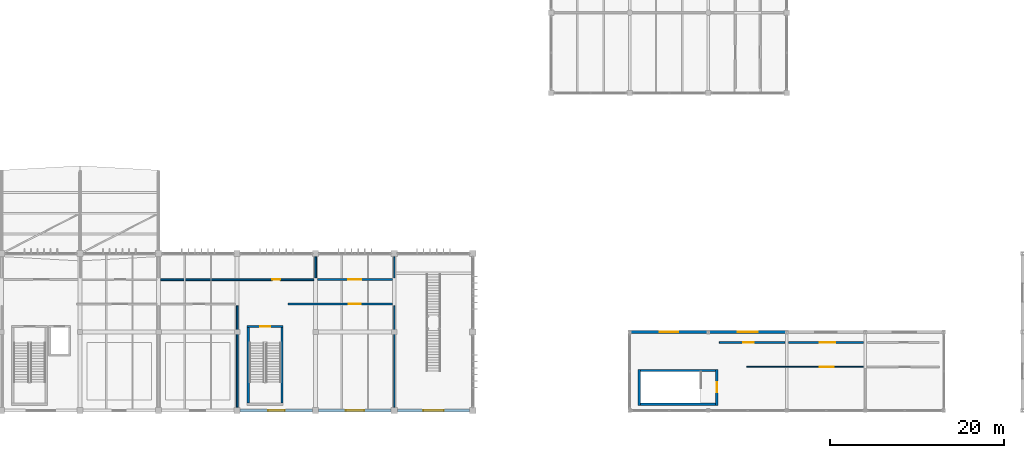
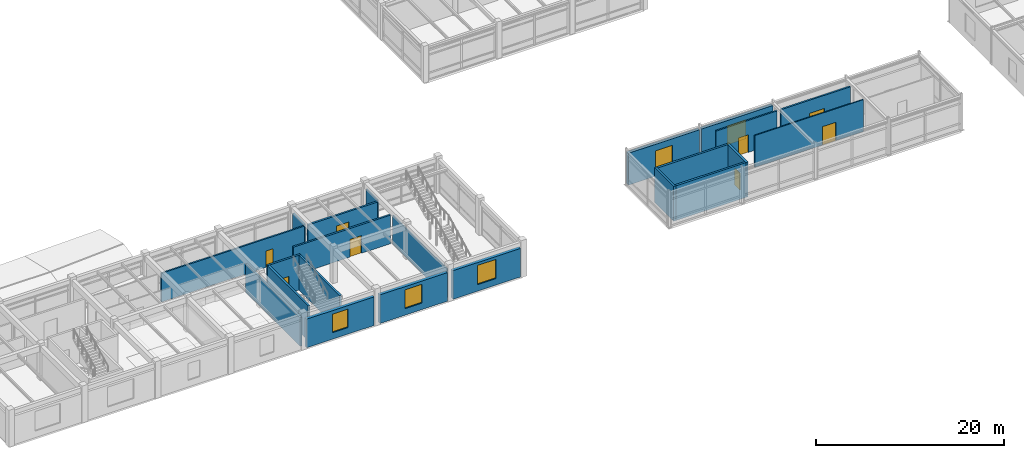
# One storey, part 46 of 61: 22 walls, 8 doors, 5 windows, 13 openings.
"""IFC4 building model written with IfcOpenShell, lengths in metres."""

from ifc_helpers import new_model, si_unit, direction, frame, frame_2d, origin, place, context, subcontext, project, spatial, rectangle, extrude, material, layer, layer_set, type_object, element, fill, save


model = new_model("IFC4")

# Units and contexts
model_context = context("Model", 3, precision=1e-05, world=origin(), true_north=direction((0.0, 1.0)))
body_context = subcontext(model_context, "Body", "Model", "MODEL_VIEW")
ifc_project = project(units=[si_unit("LENGTHUNIT", "METRE"), si_unit("AREAUNIT", "SQUARE_METRE"), si_unit("VOLUMEUNIT", "CUBIC_METRE"), si_unit("PLANEANGLEUNIT", "RADIAN"), si_unit("MASSUNIT", "GRAM", prefix="KILO")], contexts=[model_context])

# Site, building, storey
site_placement = place(None, origin())
site = spatial("IfcSite", under=ifc_project, at=site_placement, CompositionType="ELEMENT")
building_placement = place(site_placement, origin())
building = spatial("IfcBuilding", under=site, at=building_placement, Name="Bozkorgan Art Gallery", CompositionType="ELEMENT")
storey_placement = place(building_placement, frame((0.0, 0.0, 10.199951171875)))
storey = spatial("IfcBuildingStorey", under=building, at=storey_placement, Name="L02", CompositionType="ELEMENT", Elevation=10.199951171875)

# Wall, opening, door
ifc_material_1 = material(Name="Concrete C40/50", Category="concrete")
ifc_layer_1 = layer(ifc_material_1, 0.25, Name="Concrete C40/50")
ifc_layer_set_1 = layer_set([ifc_layer_1], Name="Concrete C40/50")
wall_type_1 = type_object("IfcWallType", Name="IWALL-CW-51", PredefinedType="SHEAR", material=ifc_layer_set_1)
wall_1_placement = place(storey_placement, frame((92.97509765625, 2.60009765625, 0.0), z_axis=(0.0, 0.0, 1.0), x_axis=(0.0, 1.0, 0.0)))
wall_1 = element("IfcWall", 1, at=wall_1_placement, inside=storey, type_object=wall_type_1, Name="CORE6 L02 stair core east shear wall", PredefinedType="SHEAR", context=body_context, shape_type="SweptSolid", body=[
    extrude(rectangle(XDim=4.099853515625, YDim=0.25, at=frame_2d((2.0498046875, 0.0))), origin(), (0.0, 0.0, 1.0), 4.52001953125),
])
opening_1_placement = place(wall_1_placement, frame((1.47509765625, 0.0, 0.0)))
opening_1 = element("IfcOpeningElement", 2, at=opening_1_placement, cuts=wall_1, Name="Opening SD-41", PredefinedType="OPENING", context=body_context, shape_type="SweptSolid", body=[
    extrude(rectangle(XDim=1.14990234375, YDim=2.199951171875, at=frame_2d((0.574951171875, 1.10009765625))), frame((0.0, 0.135009765625, 0.0), z_axis=(0.0, -1.0, 0.0), x_axis=(1.0, 0.0, 0.0)), (0.0, 0.0, 1.0), 0.27001953125),
])
ifc_material_2 = material(Name="Steel S355J2", Category="steel")
door_type_1 = type_object("IfcDoorType", Name="IDOOR-SD-41", OperationType="NOTDEFINED", PredefinedType="DOOR", material=ifc_material_2)
door_1_placement = place(opening_1_placement, origin())
door_1 = element("IfcDoor", 3, at=door_1_placement, inside=storey, type_object=door_type_1, Name="ST6 L02 Fire Stair Door", OperationType="SINGLE_SWING_LEFT", OverallHeight=2.199951171875, OverallWidth=1.14990234375, PredefinedType="DOOR", context=body_context, shape_type="SweptSolid", body=[
    extrude(rectangle(XDim=1.14990234375, YDim=2.199951171875, at=frame_2d((0.574951171875, 1.10009765625))), frame((0.0, 0.02490234375, 0.0), z_axis=(0.0, -1.0, 0.0), x_axis=(1.0, 0.0, 0.0)), (0.0, 0.0, 1.0), 0.050048828125),
])
fill(opening_1, door_1)

# Walls
wall_2_placement = place(storey_placement, frame((84.074951171875, 2.60009765625, 0.0), z_axis=(0.0, 0.0, 1.0), x_axis=(0.0, 1.0, 0.0)))
element("IfcWall", 4, at=wall_2_placement, inside=storey, type_object=wall_type_1, Name="CORE6 L02 stair core W shear wall", PredefinedType="SHEAR", context=body_context, shape_type="SweptSolid", body=[
    extrude(rectangle(XDim=4.099853515625, YDim=0.25, at=frame_2d((2.0498046875, 0.0))), origin(), (0.0, 0.0, 1.0), 4.52001953125),
])
for number, where, z_axis, x_axis, name in (
    (5, (84.199951171875, 2.72509765625, 0.0), (0.0, 0.0, 1.0), (1.0, 0.0, 0.0), "CORE6 L02 stair core S shear wall"),
    (6, (84.199951171875, 6.574951171875, 0.0), (0.0, 0.0, 1.0), (1.0, 0.0, 0.0), "CORE6 L02 stair core N shear wall"),
):
    element("IfcWall", number, at=place(storey_placement, frame(where, z_axis=z_axis, x_axis=x_axis)), inside=storey, type_object=wall_type_1, Name=name, PredefinedType="SHEAR", context=body_context, shape_type="SweptSolid", body=[
        extrude(rectangle(XDim=8.650146484375, YDim=0.25, at=frame_2d((4.3251953125, 0.0))), origin(), (0.0, 0.0, 1.0), 4.52001953125),
    ])

# Wall, opening, door
wall_3_placement = place(storey_placement, frame((39.14990234375, 11.625, 0.0), z_axis=(0.0, 0.0, 1.0), x_axis=(1.0, 0.0, 0.0)))
wall_3 = element("IfcWall", 7, at=wall_3_placement, inside=storey, type_object=wall_type_1, Name="CORE7 L02 stair core north shear wall", PredefinedType="SHEAR", context=body_context, shape_type="SweptSolid", body=[
    extrude(rectangle(XDim=4.10009765625, YDim=0.25, at=frame_2d((2.050048828125, 0.0))), origin(), (0.0, 0.0, 1.0), 4.52001953125),
])
opening_2_placement = place(wall_3_placement, frame((2.625, 0.0, 0.0), z_axis=(0.0, 0.0, 1.0), x_axis=(-1.0, 0.0, 0.0)))
opening_2 = element("IfcOpeningElement", 8, at=opening_2_placement, cuts=wall_3, Name="Opening SD-41", PredefinedType="OPENING", context=body_context, shape_type="SweptSolid", body=[
    extrude(rectangle(XDim=1.14990234375, YDim=2.199951171875, at=frame_2d((0.574951171875, 1.10009765625))), frame((0.0, 0.135009765625, 0.0), z_axis=(0.0, -1.0, 0.0), x_axis=(1.0, 0.0, 0.0)), (0.0, 0.0, 1.0), 0.27001953125),
])
door_2_placement = place(opening_2_placement, origin())
door_2 = element("IfcDoor", 9, at=door_2_placement, inside=storey, type_object=door_type_1, Name="ST12 L02 Fire Stair Door", OperationType="SINGLE_SWING_LEFT", OverallHeight=2.199951171875, OverallWidth=1.14990234375, PredefinedType="DOOR", context=body_context, shape_type="SweptSolid", body=[
    extrude(rectangle(XDim=1.14990234375, YDim=2.199951171875, at=frame_2d((0.574951171875, 1.10009765625))), frame((0.0, 0.02490234375, 0.0), z_axis=(0.0, -1.0, 0.0), x_axis=(1.0, 0.0, 0.0)), (0.0, 0.0, 1.0), 0.050048828125),
])
fill(opening_2, door_2)

# Walls
for number, where, z_axis, x_axis, name in (
    (10, (39.27490234375, 2.85009765625, 0.0), (0.0, 0.0, 1.0), (0.0, 1.0, 0.0), "CORE7 L02 stair core W shear wall"),
    (11, (43.125, 2.85009765625, 0.0), (0.0, 0.0, 1.0), (0.0, 1.0, 0.0), "CORE7 L02 stair core E shear wall"),
):
    element("IfcWall", number, at=place(storey_placement, frame(where, z_axis=z_axis, x_axis=x_axis)), inside=storey, type_object=wall_type_1, Name=name, PredefinedType="SHEAR", context=body_context, shape_type="SweptSolid", body=[
        extrude(rectangle(XDim=8.64990234375, YDim=0.25, at=frame_2d((4.324951171875, 0.0))), origin(), (0.0, 0.0, 1.0), 4.52001953125),
    ])

# Wall, opening, door
ifc_material_3 = material(Name="Acoustic Gypsum & Mineral Wool Partition")
ifc_layer_2 = layer(ifc_material_3, 0.22998046875, Name="Acoustic Gypsum & Mineral Wool Partition")
ifc_layer_set_2 = layer_set([ifc_layer_2], Name="Acoustic Gypsum & Mineral Wool Partition")
wall_type_2 = type_object("IfcWallType", Name="IWALL-PR-08", PredefinedType="PARTITIONING", material=ifc_layer_set_2)
wall_4_placement = place(storey_placement, frame((43.820068359375, 14.199951171875, 0.0), z_axis=(0.0, 0.0, 1.0), x_axis=(1.0, 0.0, 0.0)))
wall_4 = element("IfcWall", 12, at=wall_4_placement, inside=storey, type_object=wall_type_2, Name="V1 L02 acoustic partition wall 59", PredefinedType="PARTITIONING", context=body_context, shape_type="SweptSolid", body=[
    extrude(rectangle(XDim=11.9599609375, YDim=0.22998046875, at=frame_2d((5.97998046875, 0.0))), origin(), (0.0, 0.0, 1.0), 3.715087890625),
])
opening_3_placement = place(wall_4_placement, frame((6.9404296875, 0.0, 0.0)))
opening_3 = element("IfcOpeningElement", 13, at=opening_3_placement, cuts=wall_4, Name="Opening GD-50", PredefinedType="OPENING", context=body_context, shape_type="SweptSolid", body=[
    extrude(rectangle(XDim=1.419921875, YDim=2.300048828125, at=frame_2d((0.7099609375, 1.14990234375))), frame((0.0, 0.125, 0.0), z_axis=(0.0, -1.0, 0.0), x_axis=(1.0, 0.0, 0.0)), (0.0, 0.0, 1.0), 0.25),
])
ifc_material_4 = material(Name="Oiled European Oak Joinery")
door_type_2 = type_object("IfcDoorType", Name="IDOOR-GD-50", OperationType="NOTDEFINED", PredefinedType="DOOR", material=ifc_material_4)
door_3_placement = place(opening_3_placement, origin())
door_3 = element("IfcDoor", 14, at=door_3_placement, inside=storey, type_object=door_type_2, Name="Architectural Drawings Gallery Door", OperationType="DOUBLE_DOOR_SINGLE_SWING", OverallHeight=2.300048828125, OverallWidth=1.419921875, PredefinedType="DOOR", context=body_context, shape_type="SweptSolid", body=[
    extrude(rectangle(XDim=1.419921875, YDim=2.300048828125, at=frame_2d((0.7099609375, 1.14990234375))), frame((0.0, 0.02490234375, 0.0), z_axis=(0.0, -1.0, 0.0), x_axis=(1.0, 0.0, 0.0)), (0.0, 0.0, 1.0), 0.050048828125),
])
fill(opening_3, door_3)

wall_5_placement = place(storey_placement, frame((47.219970703125, 17.0, 0.0), z_axis=(0.0, 0.0, 1.0), x_axis=(1.0, 0.0, 0.0)))
wall_5 = element("IfcWall", 15, at=wall_5_placement, inside=storey, type_object=wall_type_2, Name="V1 L02 acoustic partition wall 71", PredefinedType="PARTITIONING", context=body_context, shape_type="SweptSolid", body=[
    extrude(rectangle(XDim=8.56005859375, YDim=0.22998046875, at=frame_2d((4.280029296875, 0.0))), origin(), (0.0, 0.0, 1.0), 3.715087890625),
])
opening_4_placement = place(wall_5_placement, frame((5.030029296875, 0.0, 0.0), z_axis=(0.0, 0.0, 1.0), x_axis=(-1.0, 0.0, 0.0)))
opening_4 = element("IfcOpeningElement", 16, at=opening_4_placement, cuts=wall_5, Name="Opening GD-06", PredefinedType="OPENING", context=body_context, shape_type="SweptSolid", body=[
    extrude(rectangle(XDim=1.5, YDim=2.35009765625, at=frame_2d((0.75, 1.175048828125))), frame((0.0, 0.125, 0.0), z_axis=(0.0, -1.0, 0.0), x_axis=(1.0, 0.0, 0.0)), (0.0, 0.0, 1.0), 0.25),
])
door_type_3 = type_object("IfcDoorType", Name="IDOOR-GD-06", OperationType="NOTDEFINED", PredefinedType="DOOR", material=ifc_material_4)
door_4_placement = place(opening_4_placement, origin())
door_4 = element("IfcDoor", 17, at=door_4_placement, inside=storey, type_object=door_type_3, Name="Temporary Exhibition Hall Door", OperationType="DOUBLE_DOOR_SINGLE_SWING", OverallHeight=2.35009765625, OverallWidth=1.5, PredefinedType="DOOR", context=body_context, shape_type="SweptSolid", body=[
    extrude(rectangle(XDim=1.5, YDim=2.35009765625, at=frame_2d((0.75, 1.175048828125))), frame((0.0, 0.02490234375, 0.0), z_axis=(0.0, -1.0, 0.0), x_axis=(1.0, 0.0, 0.0)), (0.0, 0.0, 1.0), 0.050048828125),
])
fill(opening_4, door_4)

ifc_layer_3 = layer(ifc_material_3, 0.2099609375, Name="Acoustic Gypsum & Mineral Wool Partition")
ifc_layer_set_3 = layer_set([ifc_layer_3], Name="Acoustic Gypsum & Mineral Wool Partition")
wall_type_3 = type_object("IfcWallType", Name="IWALL-PR-38", PredefinedType="PARTITIONING", material=ifc_layer_set_3)
wall_6_placement = place(storey_placement, frame((101.219970703125, 9.800048828125, 0.0), z_axis=(0.0, 0.0, 1.0), x_axis=(1.0, 0.0, 0.0)))
wall_6 = element("IfcWall", 18, at=wall_6_placement, inside=storey, type_object=wall_type_3, Name="V3 L02 acoustic partition wall 178", PredefinedType="PARTITIONING", context=body_context, shape_type="SweptSolid", body=[
    extrude(rectangle(XDim=8.56005859375, YDim=0.2099609375, at=frame_2d((4.280029296875, 0.0))), origin(), (0.0, 0.0, 1.0), 4.155029296875),
])
opening_5_placement = place(wall_6_placement, frame((5.35009765625, 0.0, 0.0), z_axis=(0.0, 0.0, 1.0), x_axis=(-1.0, 0.0, 0.0)))
opening_5 = element("IfcOpeningElement", 19, at=opening_5_placement, cuts=wall_6, Name="Opening GD-31", PredefinedType="OPENING", context=body_context, shape_type="SweptSolid", body=[
    extrude(rectangle(XDim=1.820068359375, YDim=2.4599609375, at=frame_2d((0.91015625, 1.22998046875))), frame((0.0, 0.114990234375, 0.0), z_axis=(0.0, -1.0, 0.0), x_axis=(1.0, 0.0, 0.0)), (0.0, 0.0, 1.0), 0.22998046875),
])
door_type_4 = type_object("IfcDoorType", Name="IDOOR-GD-31", OperationType="NOTDEFINED", PredefinedType="DOOR", material=ifc_material_4)
door_5_placement = place(opening_5_placement, origin())
door_5 = element("IfcDoor", 20, at=door_5_placement, inside=storey, type_object=door_type_4, Name="Sound Installation Gallery Door", OperationType="DOUBLE_DOOR_SINGLE_SWING", OverallHeight=2.4599609375, OverallWidth=1.820068359375, PredefinedType="DOOR", context=body_context, shape_type="SweptSolid", body=[
    extrude(rectangle(XDim=1.820068359375, YDim=2.4599609375, at=frame_2d((0.91015625, 1.22998046875))), frame((0.0, 0.02490234375, 0.0), z_axis=(0.0, -1.0, 0.0), x_axis=(1.0, 0.0, 0.0)), (0.0, 0.0, 1.0), 0.050048828125),
])
fill(opening_5, door_5)

ifc_layer_4 = layer(ifc_material_3, 0.18994140625, Name="Acoustic Gypsum & Mineral Wool Partition")
ifc_layer_set_4 = layer_set([ifc_layer_4], Name="Acoustic Gypsum & Mineral Wool Partition")
wall_type_4 = type_object("IfcWallType", Name="IWALL-PR-66", PredefinedType="PARTITIONING", material=ifc_layer_set_4)
wall_7_placement = place(storey_placement, frame((29.219970703125, 17.0, 0.0), z_axis=(0.0, 0.0, 1.0), x_axis=(1.0, 0.0, 0.0)))
wall_7 = element("IfcWall", 21, at=wall_7_placement, inside=storey, type_object=wall_type_4, Name="V1 L02 acoustic partition wall 69", PredefinedType="PARTITIONING", context=body_context, shape_type="SweptSolid", body=[
    extrude(rectangle(XDim=17.56005859375, YDim=0.18994140625, at=frame_2d((8.780029296875, 0.0))), origin(), (0.0, 0.0, 1.0), 3.715087890625),
])
opening_6_placement = place(wall_7_placement, frame((13.74560546875, 0.0, 0.0), z_axis=(0.0, 0.0, 1.0), x_axis=(-1.0, 0.0, 0.0)))
opening_6 = element("IfcOpeningElement", 22, at=opening_6_placement, cuts=wall_7, Name="Opening FD-12", PredefinedType="OPENING", context=body_context, shape_type="SweptSolid", body=[
    extrude(rectangle(XDim=0.919921875, YDim=2.1201171875, at=frame_2d((0.4599609375, 1.06005859375))), frame((0.0, 0.10498046875, 0.0), z_axis=(0.0, -1.0, 0.0), x_axis=(1.0, 0.0, 0.0)), (0.0, 0.0, 1.0), 0.2099609375),
])
door_type_5 = type_object("IfcDoorType", Name="IDOOR-FD-12", OperationType="NOTDEFINED", PredefinedType="DOOR", material=ifc_material_4)
door_6_placement = place(opening_6_placement, origin())
door_6 = element("IfcDoor", 23, at=door_6_placement, inside=storey, type_object=door_type_5, Name="Visitor Cloakroom Door", OperationType="SINGLE_SWING_LEFT", OverallHeight=2.1201171875, OverallWidth=0.919921875, PredefinedType="DOOR", context=body_context, shape_type="SweptSolid", body=[
    extrude(rectangle(XDim=0.919921875, YDim=2.1201171875, at=frame_2d((0.4599609375, 1.06005859375))), frame((0.0, 0.02490234375, 0.0), z_axis=(0.0, -1.0, 0.0), x_axis=(1.0, 0.0, 0.0)), (0.0, 0.0, 1.0), 0.050048828125),
])
fill(opening_6, door_6)

wall_8_placement = place(storey_placement, frame((93.280029296875, 9.800048828125, 0.0), z_axis=(0.0, 0.0, 1.0), x_axis=(1.0, 0.0, 0.0)))
wall_8 = element("IfcWall", 24, at=wall_8_placement, inside=storey, type_object=wall_type_4, Name="V3 L02 acoustic partition wall 177", PredefinedType="PARTITIONING", context=body_context, shape_type="SweptSolid", body=[
    extrude(rectangle(XDim=7.5, YDim=0.18994140625, at=frame_2d((3.75, 0.0))), origin(), (0.0, 0.0, 1.0), 4.155029296875),
])
opening_7_placement = place(wall_8_placement, frame((3.94140625, 0.0, 0.0), z_axis=(0.0, 0.0, 1.0), x_axis=(-1.0, 0.0, 0.0)))
opening_7 = element("IfcOpeningElement", 25, at=opening_7_placement, cuts=wall_8, Name="Opening FD-05", PredefinedType="OPENING", context=body_context, shape_type="SweptSolid", body=[
    extrude(rectangle(XDim=1.199951171875, YDim=2.300048828125, at=frame_2d((0.60009765625, 1.14990234375))), frame((0.0, 0.10498046875, 0.0), z_axis=(0.0, -1.0, 0.0), x_axis=(1.0, 0.0, 0.0)), (0.0, 0.0, 1.0), 0.2099609375),
])
door_type_6 = type_object("IfcDoorType", Name="IDOOR-FD-05", OperationType="NOTDEFINED", PredefinedType="DOOR", material=ifc_material_4)
door_7_placement = place(opening_7_placement, origin())
door_7 = element("IfcDoor", 26, at=door_7_placement, inside=storey, type_object=door_type_6, Name="Media Editing Studio Door", OperationType="SINGLE_SWING_RIGHT", OverallHeight=2.300048828125, OverallWidth=1.199951171875, PredefinedType="DOOR", context=body_context, shape_type="SweptSolid", body=[
    extrude(rectangle(XDim=1.199951171875, YDim=2.300048828125, at=frame_2d((0.60009765625, 1.14990234375))), frame((0.0, 0.02490234375, 0.0), z_axis=(0.0, -1.0, 0.0), x_axis=(1.0, 0.0, 0.0)), (0.0, 0.0, 1.0), 0.050048828125),
])
fill(opening_7, door_7)

ifc_layer_5 = layer(ifc_material_3, 0.1298828125, Name="Acoustic Gypsum & Mineral Wool Partition")
ifc_layer_set_5 = layer_set([ifc_layer_5], Name="Acoustic Gypsum & Mineral Wool Partition")
wall_type_5 = type_object("IfcWallType", Name="IWALL-PR-76", PredefinedType="PARTITIONING", material=ifc_layer_set_5)
wall_9_placement = place(storey_placement, frame((96.419921875, 7.0, 0.0), z_axis=(0.0, 0.0, 1.0), x_axis=(1.0, 0.0, 0.0)))
wall_9 = element("IfcWall", 27, at=wall_9_placement, inside=storey, type_object=wall_type_5, Name="V3 L02 acoustic partition wall 174", PredefinedType="PARTITIONING", context=body_context, shape_type="SweptSolid", body=[
    extrude(rectangle(XDim=13.360107421875, YDim=0.1298828125, at=frame_2d((6.68017578125, 0.0))), origin(), (0.0, 0.0, 1.0), 4.155029296875),
])
opening_8_placement = place(wall_9_placement, frame((8.343017578125, 0.0, 0.0)))
opening_8 = element("IfcOpeningElement", 28, at=opening_8_placement, cuts=wall_9, Name="Opening GD-81", PredefinedType="OPENING", context=body_context, shape_type="SweptSolid", body=[
    extrude(rectangle(XDim=1.6201171875, YDim=2.39990234375, at=frame_2d((0.81005859375, 1.199951171875))), frame((0.0, 0.074951171875, 0.0), z_axis=(0.0, -1.0, 0.0), x_axis=(1.0, 0.0, 0.0)), (0.0, 0.0, 1.0), 0.14990234375),
])
door_type_7 = type_object("IfcDoorType", Name="IDOOR-GD-81", OperationType="NOTDEFINED", PredefinedType="DOOR", material=ifc_material_4)
door_8_placement = place(opening_8_placement, origin())
door_8 = element("IfcDoor", 29, at=door_8_placement, inside=storey, type_object=door_type_7, Name="Acoustic Rehearsal Hall Door", OperationType="DOUBLE_DOOR_SINGLE_SWING", OverallHeight=2.39990234375, OverallWidth=1.6201171875, PredefinedType="DOOR", context=body_context, shape_type="SweptSolid", body=[
    extrude(rectangle(XDim=1.6201171875, YDim=2.39990234375, at=frame_2d((0.81005859375, 1.199951171875))), frame((0.0, 0.02490234375, 0.0), z_axis=(0.0, -1.0, 0.0), x_axis=(1.0, 0.0, 0.0)), (0.0, 0.0, 1.0), 0.050048828125),
])
fill(opening_8, door_8)

# Walls
ifc_layer_6 = layer(ifc_material_3, 0.2099609375, Name="Acoustic Gypsum & Mineral Wool Partition")
ifc_layer_set_6 = layer_set([ifc_layer_6], Name="Acoustic Gypsum & Mineral Wool Partition")
wall_type_6 = type_object("IfcWallType", Name="IWALL-PW-72", PredefinedType="PARTITIONING", material=ifc_layer_set_6)
wall_10_placement = place(storey_placement, frame((38.0, 2.39990234375, 0.0), z_axis=(0.0, 0.0, 1.0), x_axis=(0.0, 1.0, 0.0)))
element("IfcWall", 30, at=wall_10_placement, inside=storey, type_object=wall_type_6, Name="V1 L02 acoustic partition wall 58", PredefinedType="PARTITIONING", context=body_context, shape_type="SweptSolid", body=[
    extrude(rectangle(XDim=11.60009765625, YDim=0.2099609375, at=frame_2d((5.800048828125, 0.0))), origin(), (0.0, 0.0, 1.0), 3.715087890625),
])
wall_11_placement = place(storey_placement, frame((47.0, 17.199951171875, 0.0), z_axis=(0.0, 0.0, 1.0), x_axis=(0.0, 1.0, 0.0)))
element("IfcWall", 31, at=wall_11_placement, inside=storey, type_object=wall_type_6, Name="V1 L02 acoustic partition wall 70", PredefinedType="PARTITIONING", context=body_context, shape_type="SweptSolid", body=[
    extrude(rectangle(XDim=2.400146484375, YDim=0.2099609375, at=frame_2d((1.2001953125, 0.0))), origin(), (0.0, 0.0, 1.0), 3.715087890625),
])
ifc_layer_7 = layer(ifc_material_3, 0.1298828125, Name="Acoustic Gypsum & Mineral Wool Partition")
ifc_layer_set_7 = layer_set([ifc_layer_7], Name="Acoustic Gypsum & Mineral Wool Partition")
wall_type_7 = type_object("IfcWallType", Name="IWALL-PW-97", PredefinedType="PARTITIONING", material=ifc_layer_set_7)
wall_12_placement = place(storey_placement, frame((56.0, 2.39990234375, 0.0), z_axis=(0.0, 0.0, 1.0), x_axis=(0.0, 1.0, 0.0)))
element("IfcWall", 32, at=wall_12_placement, inside=storey, type_object=wall_type_7, Name="V1 L02 acoustic partition wall 60", PredefinedType="PARTITIONING", context=body_context, shape_type="SweptSolid", body=[
    extrude(rectangle(XDim=11.60009765625, YDim=0.1298828125, at=frame_2d((5.800048828125, 0.0))), origin(), (0.0, 0.0, 1.0), 3.715087890625),
])
wall_13_placement = place(storey_placement, frame((56.0, 17.199951171875, 0.0), z_axis=(0.0, 0.0, 1.0), x_axis=(0.0, 1.0, 0.0)))
element("IfcWall", 33, at=wall_13_placement, inside=storey, type_object=wall_type_7, Name="V1 L02 acoustic partition wall 72", PredefinedType="PARTITIONING", context=body_context, shape_type="SweptSolid", body=[
    extrude(rectangle(XDim=2.400146484375, YDim=0.1298828125, at=frame_2d((1.2001953125, 0.0))), origin(), (0.0, 0.0, 1.0), 3.715087890625),
])

# Wall, opening, window
ifc_material_5 = material(Name="Pressed Terracotta Brick Masonry", Category="masonry")
ifc_layer_8 = layer(ifc_material_5, 0.3798828125, Name="Pressed Terracotta Brick Masonry")
ifc_layer_set_8 = layer_set([ifc_layer_8], Name="Pressed Terracotta Brick Masonry")
wall_type_8 = type_object("IfcWallType", Name="WALL-WB-15", PredefinedType="STANDARD", material=ifc_layer_set_8)
wall_14_placement = place(storey_placement, frame((38.35009765625, 2.0, 0.0), z_axis=(0.0, 0.0, 1.0), x_axis=(1.0, 0.0, 0.0)))
wall_14 = element("IfcWall", 34, at=wall_14_placement, inside=storey, type_object=wall_type_8, Name="V1 L02 exterior facade wall 1S-9", PredefinedType="STANDARD", context=body_context, shape_type="SweptSolid", body=[
    extrude(rectangle(XDim=8.2998046875, YDim=0.3798828125, at=frame_2d((4.14990234375, 0.0))), origin(), (0.0, 0.0, 1.0), 3.715087890625),
])
opening_9_placement = place(wall_14_placement, frame((5.099853515625, 0.0, 0.85009765625), z_axis=(0.0, 0.0, 1.0), x_axis=(-1.0, 0.0, 0.0)))
opening_9 = element("IfcOpeningElement", 35, at=opening_9_placement, cuts=wall_14, Name="Opening WN-52", PredefinedType="OPENING", context=body_context, shape_type="SweptSolid", body=[
    extrude(rectangle(XDim=1.89990234375, YDim=2.39990234375, at=frame_2d((0.949951171875, 1.199951171875))), frame((0.0, 0.199951171875, 0.0), z_axis=(0.0, -1.0, 0.0), x_axis=(1.0, 0.0, 0.0)), (0.0, 0.0, 1.0), 0.39990234375),
])
ifc_material_6 = material(Name="Triple Low-E Laminated Glass", Category="glass")
window_type_1 = type_object("IfcWindowType", Name="WIN-WN-52", PartitioningType="SINGLE_PANEL", PredefinedType="WINDOW", material=ifc_material_6)
window_1_placement = place(opening_9_placement, origin())
window_1 = element("IfcWindow", 36, at=window_1_placement, inside=storey, type_object=window_type_1, Name="V1 L02 gallery window 1S-9", OverallHeight=2.39990234375, OverallWidth=1.89990234375, PartitioningType="SINGLE_PANEL", PredefinedType="WINDOW", context=body_context, shape_type="SweptSolid", body=[
    extrude(rectangle(XDim=1.89990234375, YDim=2.39990234375, at=frame_2d((0.949951171875, 1.199951171875))), frame((0.0, 0.030029296875, 0.0), z_axis=(0.0, -1.0, 0.0), x_axis=(1.0, 0.0, 0.0)), (0.0, 0.0, 1.0), 0.06005859375),
])
fill(opening_9, window_1)

wall_15_placement = place(storey_placement, frame((47.35009765625, 2.0, 0.0), z_axis=(0.0, 0.0, 1.0), x_axis=(1.0, 0.0, 0.0)))
wall_15 = element("IfcWall", 37, at=wall_15_placement, inside=storey, type_object=wall_type_8, Name="V1 L02 exterior facade wall 1S-11", PredefinedType="STANDARD", context=body_context, shape_type="SweptSolid", body=[
    extrude(rectangle(XDim=8.2998046875, YDim=0.3798828125, at=frame_2d((4.14990234375, 0.0))), origin(), (0.0, 0.0, 1.0), 3.715087890625),
])
opening_10_placement = place(wall_15_placement, frame((5.2001953125, 0.0, 0.85009765625), z_axis=(0.0, 0.0, 1.0), x_axis=(-1.0, 0.0, 0.0)))
opening_10 = element("IfcOpeningElement", 38, at=opening_10_placement, cuts=wall_15, Name="Opening WN-22", PredefinedType="OPENING", context=body_context, shape_type="SweptSolid", body=[
    extrude(rectangle(XDim=2.10009765625, YDim=2.449951171875, at=frame_2d((1.050048828125, 1.22509765625))), frame((0.0, 0.199951171875, 0.0), z_axis=(0.0, -1.0, 0.0), x_axis=(1.0, 0.0, 0.0)), (0.0, 0.0, 1.0), 0.39990234375),
])
window_type_2 = type_object("IfcWindowType", Name="WIN-WN-22", PartitioningType="SINGLE_PANEL", PredefinedType="WINDOW", material=ifc_material_6)
window_2_placement = place(opening_10_placement, origin())
window_2 = element("IfcWindow", 39, at=window_2_placement, inside=storey, type_object=window_type_2, Name="V1 L02 gallery window 1S-11", OverallHeight=2.449951171875, OverallWidth=2.10009765625, PartitioningType="SINGLE_PANEL", PredefinedType="WINDOW", context=body_context, shape_type="SweptSolid", body=[
    extrude(rectangle(XDim=2.10009765625, YDim=2.449951171875, at=frame_2d((1.050048828125, 1.22509765625))), frame((0.0, 0.030029296875, 0.0), z_axis=(0.0, -1.0, 0.0), x_axis=(1.0, 0.0, 0.0)), (0.0, 0.0, 1.0), 0.06005859375),
])
fill(opening_10, window_2)

wall_16_placement = place(storey_placement, frame((56.35009765625, 2.0, 0.0), z_axis=(0.0, 0.0, 1.0), x_axis=(1.0, 0.0, 0.0)))
wall_16 = element("IfcWall", 40, at=wall_16_placement, inside=storey, type_object=wall_type_8, Name="V1 L02 exterior facade wall 1S-13", PredefinedType="STANDARD", context=body_context, shape_type="SweptSolid", body=[
    extrude(rectangle(XDim=8.2998046875, YDim=0.3798828125, at=frame_2d((4.14990234375, 0.0))), origin(), (0.0, 0.0, 1.0), 3.715087890625),
])
opening_11_placement = place(wall_16_placement, frame((5.300048828125, 0.0, 0.85009765625), z_axis=(0.0, 0.0, 1.0), x_axis=(-1.0, 0.0, 0.0)))
opening_11 = element("IfcOpeningElement", 41, at=opening_11_placement, cuts=wall_16, Name="Opening WN-48", PredefinedType="OPENING", context=body_context, shape_type="SweptSolid", body=[
    extrude(rectangle(XDim=2.300048828125, YDim=2.5, at=frame_2d((1.14990234375, 1.25))), frame((0.0, 0.199951171875, 0.0), z_axis=(0.0, -1.0, 0.0), x_axis=(1.0, 0.0, 0.0)), (0.0, 0.0, 1.0), 0.39990234375),
])
window_type_3 = type_object("IfcWindowType", Name="WIN-WN-48", PartitioningType="SINGLE_PANEL", PredefinedType="WINDOW", material=ifc_material_6)
window_3_placement = place(opening_11_placement, origin())
window_3 = element("IfcWindow", 42, at=window_3_placement, inside=storey, type_object=window_type_3, Name="V1 L02 gallery window 1S-13", OverallHeight=2.5, OverallWidth=2.300048828125, PartitioningType="SINGLE_PANEL", PredefinedType="WINDOW", context=body_context, shape_type="SweptSolid", body=[
    extrude(rectangle(XDim=2.300048828125, YDim=2.5, at=frame_2d((1.14990234375, 1.25))), frame((0.0, 0.030029296875, 0.0), z_axis=(0.0, -1.0, 0.0), x_axis=(1.0, 0.0, 0.0)), (0.0, 0.0, 1.0), 0.06005859375),
])
fill(opening_11, window_3)

wall_17_placement = place(storey_placement, frame((83.1298828125, 11.0, 0.0), z_axis=(0.0, 0.0, 1.0), x_axis=(1.0, 0.0, 0.0)))
wall_17 = element("IfcWall", 43, at=wall_17_placement, inside=storey, type_object=wall_type_8, Name="V3 L02 exterior facade wall 1N-2", PredefinedType="STANDARD", context=body_context, shape_type="SweptSolid", body=[
    extrude(rectangle(XDim=8.740234375, YDim=0.3798828125, at=frame_2d((4.3701171875, 0.0))), origin(), (0.0, 0.0, 1.0), 4.155029296875),
])
opening_12_placement = place(wall_17_placement, frame((3.320068359375, 0.0, 0.85009765625)))
opening_12 = element("IfcOpeningElement", 44, at=opening_12_placement, cuts=wall_17, Name="Opening WN-22", PredefinedType="OPENING", context=body_context, shape_type="SweptSolid", body=[
    extrude(rectangle(XDim=2.10009765625, YDim=2.449951171875, at=frame_2d((1.050048828125, 1.22509765625))), frame((0.0, 0.199951171875, 0.0), z_axis=(0.0, -1.0, 0.0), x_axis=(1.0, 0.0, 0.0)), (0.0, 0.0, 1.0), 0.39990234375),
])
window_4_placement = place(opening_12_placement, origin())
window_4 = element("IfcWindow", 45, at=window_4_placement, inside=storey, type_object=window_type_2, Name="V3 L02 gallery window 1N-2", OverallHeight=2.449951171875, OverallWidth=2.10009765625, PartitioningType="SINGLE_PANEL", PredefinedType="WINDOW", context=body_context, shape_type="SweptSolid", body=[
    extrude(rectangle(XDim=2.10009765625, YDim=2.449951171875, at=frame_2d((1.050048828125, 1.22509765625))), frame((0.0, 0.030029296875, 0.0), z_axis=(0.0, -1.0, 0.0), x_axis=(1.0, 0.0, 0.0)), (0.0, 0.0, 1.0), 0.06005859375),
])
fill(opening_12, window_4)

wall_18_placement = place(storey_placement, frame((92.1298828125, 11.0, 0.0), z_axis=(0.0, 0.0, 1.0), x_axis=(1.0, 0.0, 0.0)))
wall_18 = element("IfcWall", 46, at=wall_18_placement, inside=storey, type_object=wall_type_8, Name="V3 L02 exterior facade wall 1N-4", PredefinedType="STANDARD", context=body_context, shape_type="SweptSolid", body=[
    extrude(rectangle(XDim=8.740234375, YDim=0.3798828125, at=frame_2d((4.3701171875, 0.0))), origin(), (0.0, 0.0, 1.0), 4.155029296875),
])
opening_13_placement = place(wall_18_placement, frame((3.219970703125, 0.0, 0.85009765625)))
opening_13 = element("IfcOpeningElement", 47, at=opening_13_placement, cuts=wall_18, Name="Opening WN-48", PredefinedType="OPENING", context=body_context, shape_type="SweptSolid", body=[
    extrude(rectangle(XDim=2.300048828125, YDim=2.5, at=frame_2d((1.14990234375, 1.25))), frame((0.0, 0.199951171875, 0.0), z_axis=(0.0, -1.0, 0.0), x_axis=(1.0, 0.0, 0.0)), (0.0, 0.0, 1.0), 0.39990234375),
])
window_5_placement = place(opening_13_placement, origin())
window_5 = element("IfcWindow", 48, at=window_5_placement, inside=storey, type_object=window_type_3, Name="V3 L02 gallery window 1N-4", OverallHeight=2.5, OverallWidth=2.300048828125, PartitioningType="SINGLE_PANEL", PredefinedType="WINDOW", context=body_context, shape_type="SweptSolid", body=[
    extrude(rectangle(XDim=2.300048828125, YDim=2.5, at=frame_2d((1.14990234375, 1.25))), frame((0.0, 0.030029296875, 0.0), z_axis=(0.0, -1.0, 0.0), x_axis=(1.0, 0.0, 0.0)), (0.0, 0.0, 1.0), 0.06005859375),
])
fill(opening_13, window_5)

save(model, "model.ifc")
